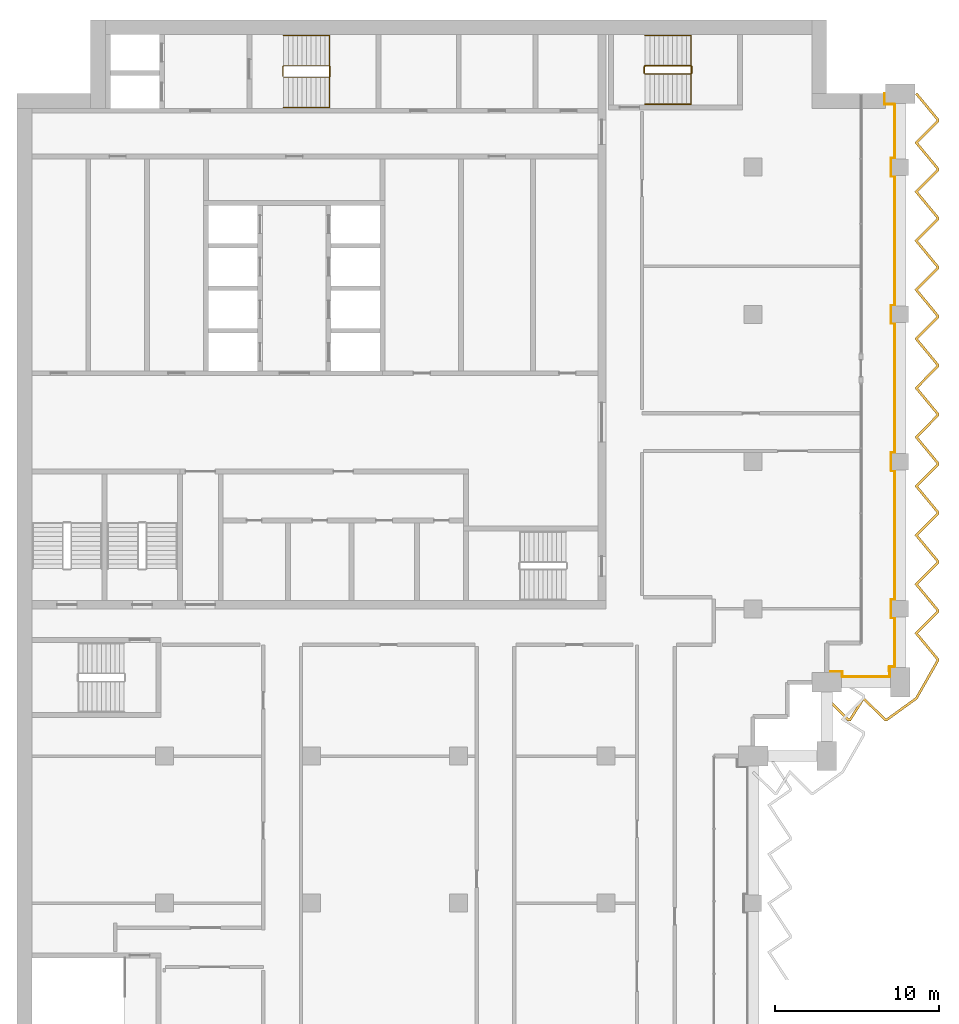
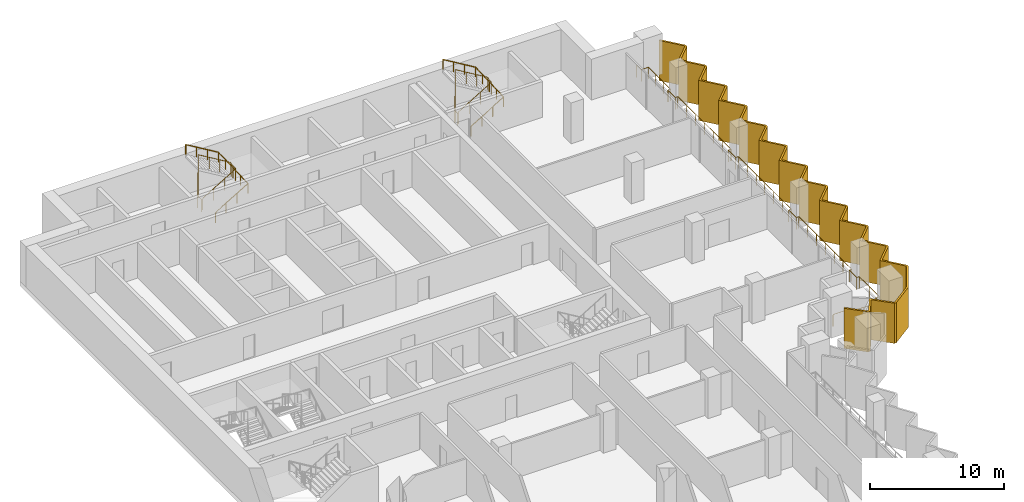
# One storey, part 18 of 18: 5 railings, 1 shading device.
"""IFC4 building model written with IfcOpenShell, lengths in metres."""

import ifcopenshell
import ifcopenshell.guid

model = None  # the IFC model being written
_history = None  # IfcOwnerHistory: only IFC2X3 demands one
_inside = {}  # id of a spatial element -> (the spatial element, [elements in it])
_under = {}  # id of a project, library or spatial element -> (it, [spatial elements below it])
_declared = {}  # id of a project -> (the project, [libraries it declares])
_typed = {}  # id of a type object -> (the type object, [elements of that type])
_made_of = {}  # id of a material, layer set ... -> (it, [elements and type objects made of it])


def new_model(schema):
    """Start an empty IFC model of exactly this schema.

    Asked for "IFC4X3", IfcOpenShell would pick the latest addendum, in which some entities
    have other attributes; the version numbers below select the first issue.
    IFC2X3 requires an IfcOwnerHistory on every rooted entity: one is made here for all.
    """
    global model, _history
    if schema == "IFC4X3":
        model = ifcopenshell.file(schema_version=(4, 3, 0, 0))
    else:
        model = ifcopenshell.file(schema=schema)
    _inside.clear()
    _under.clear()
    _declared.clear()
    _typed.clear()
    _made_of.clear()
    _history = None
    if model.schema == "IFC2X3":
        org = make("IfcOrganization", Name="unknown")
        user = make(
            "IfcPersonAndOrganization",
            ThePerson=make("IfcPerson", FamilyName="unknown"),
            TheOrganization=org,
        )
        app = make(
            "IfcApplication",
            ApplicationDeveloper=org,
            Version="unknown",
            ApplicationFullName="unknown",
            ApplicationIdentifier="unknown",
        )
        _history = make(
            "IfcOwnerHistory",
            OwningUser=user,
            OwningApplication=app,
            ChangeAction="ADDED",
            CreationDate=0,
        )
    return model


def make(cls, **values):
    """One entity of the class cls with the attributes given. An attribute that is None is left unset."""
    return model.create_entity(
        cls, **{name: value for name, value in values.items() if value is not None}
    )


def rooted(cls, **values):
    """An entity with a GlobalId (a new one), such as an element, a storey or a relation."""
    return make(cls, GlobalId=ifcopenshell.guid.new(), OwnerHistory=_history, **values)


def si_unit(unit_type, name, prefix=None):
    """IfcSIUnit, for example si_unit("LENGTHUNIT", "METRE", prefix="MILLI")."""
    return make("IfcSIUnit", UnitType=unit_type, Prefix=prefix, Name=name)


def assignment(units):
    """IfcUnitAssignment: the units of a project."""
    return None if units is None else make("IfcUnitAssignment", Units=units)


def point(xyz):
    """IfcCartesianPoint."""
    return None if xyz is None else make("IfcCartesianPoint", Coordinates=xyz)


def direction(xyz):
    """IfcDirection."""
    return None if xyz is None else make("IfcDirection", DirectionRatios=xyz)


def frame(location, z_axis=None, x_axis=None):
    """IfcAxis2Placement3D, a coordinate frame: its origin and axes. An axis left out is left unset."""
    return make(
        "IfcAxis2Placement3D",
        Location=point(location),
        Axis=direction(z_axis),
        RefDirection=direction(x_axis),
    )


def frame_2d(location, x_axis=None):
    """IfcAxis2Placement2D, a coordinate frame in the plane: its origin and x axis."""
    return make(
        "IfcAxis2Placement2D", Location=point(location), RefDirection=direction(x_axis)
    )


def origin():
    """The frame at (0, 0, 0) with its axes left unset."""
    return frame((0.0, 0.0, 0.0))


def origin_2d():
    """The frame at (0, 0) in the plane with its x axis left unset."""
    return frame_2d((0.0, 0.0))


def place(relative_to, where):
    """IfcLocalPlacement: puts the frame where relative to a parent placement (None: the world)."""
    return make(
        "IfcLocalPlacement", PlacementRelTo=relative_to, RelativePlacement=where
    )


def context(
    kind, dimensions, precision=None, world=None, true_north=None, identifier=None
):
    """IfcGeometricRepresentationContext, for example the 3D "Model" context."""
    return make(
        "IfcGeometricRepresentationContext",
        ContextIdentifier=identifier,
        ContextType=kind,
        CoordinateSpaceDimension=dimensions,
        Precision=precision,
        WorldCoordinateSystem=world,
        TrueNorth=true_north,
    )


def subcontext(parent, identifier, kind, view, scale=None):
    """IfcGeometricRepresentationSubContext, for example "Body" below "Model"."""
    return make(
        "IfcGeometricRepresentationSubContext",
        ContextIdentifier=identifier,
        ContextType=kind,
        ParentContext=parent,
        TargetScale=scale,
        TargetView=view,
    )


def project(units=None, contexts=None):
    """IfcProject with its units and contexts."""
    return rooted(
        "IfcProject",
        Name="project",
        RepresentationContexts=contexts,
        UnitsInContext=assignment(units),
    )


def spatial(cls, under=None, at=None, **own):
    """A site, building, storey or space (cls), placed at a placement, below another one or the project."""
    s = rooted(cls, ObjectPlacement=at, **own)
    if under is not None:
        _under.setdefault(under.id(), (under, []))[1].append(s)
    return s


def polyline(points):
    """IfcPolyline through the points."""
    return make("IfcPolyline", Points=[point(p) for p in points])


def profile(cls, at=None, kind="AREA", **sizes):
    """A parametric profile (cls). Its sizes go by their IFC names, for example OverallWidth=200.0."""
    return make(cls, ProfileType=kind, Position=at, **sizes)


def circle(**sizes):
    """IfcCircleProfileDef."""
    return profile("IfcCircleProfileDef", **sizes)


def outline(outer, holes=None, kind="AREA"):
    """IfcArbitraryClosedProfileDef: a profile drawn as a closed curve; with holes, ...WithVoids."""
    if holes is None:
        return make("IfcArbitraryClosedProfileDef", ProfileType=kind, OuterCurve=outer)
    return make(
        "IfcArbitraryProfileDefWithVoids",
        ProfileType=kind,
        OuterCurve=outer,
        InnerCurves=holes,
    )


def extrude(swept, where, along, depth):
    """IfcExtrudedAreaSolid: the profile swept, set in the frame where, extruded along a direction by depth."""
    return make(
        "IfcExtrudedAreaSolid",
        SweptArea=swept,
        Position=where,
        ExtrudedDirection=direction(along),
        Depth=depth,
    )


def shape(context_of_items, identifier, shape_type, items):
    """IfcShapeRepresentation: the items that make up one representation, for example the "Body"."""
    return make(
        "IfcShapeRepresentation",
        ContextOfItems=context_of_items,
        RepresentationIdentifier=identifier,
        RepresentationType=shape_type,
        Items=items,
    )


def material(Name=None, Category=None):
    """IfcMaterial."""
    return make("IfcMaterial", Name=Name, Category=Category)


def layer(
    of_material, thickness, ventilated=None, Name=None, Category=None, Priority=None
):
    """IfcMaterialLayer: one layer of a wall or slab, of a material (None: an air gap)."""
    return make(
        "IfcMaterialLayer",
        Material=of_material,
        LayerThickness=thickness,
        IsVentilated=ventilated,
        Name=Name,
        Category=Category,
        Priority=Priority,
    )


def layer_set(layers, Name=None):
    """IfcMaterialLayerSet."""
    return make("IfcMaterialLayerSet", MaterialLayers=layers, LayerSetName=Name)


def made_of(thing, what):
    """Note that an element or type object is made of a material, layer set ...; save() writes the relation."""
    if what is not None:
        _made_of.setdefault(what.id(), (what, []))[1].append(thing)
    return thing


def type_object(cls, material=None, **own):
    """A type object (cls), such as IfcWallType, which elements share."""
    return made_of(rooted(cls, **own), material)


def element(
    cls,
    number,
    at=None,
    inside=None,
    cuts=None,
    type_object=None,
    material=None,
    context=None,
    identifier="Body",
    shape_type=None,
    held_by="IfcProductDefinitionShape",
    body=None,
    shapes=None,
    **own,
):
    """One element of the class cls, such as IfcWall. Its Tag is "e" and its number.

    at: its placement. inside: the storey or other place that contains it. cuts: it is an
    opening in that element (IfcRelVoidsElement). A single representation is given by context,
    identifier, shape_type and body (its items); several are given by shapes. held_by: the class
    of the entity that holds the representations. save() writes the other relations.
    """
    e = rooted(cls, Tag="e%d" % number, ObjectPlacement=at, **own)
    if body is not None:
        shapes = [shape(context, identifier, shape_type, body)]
    if shapes is not None:
        e.Representation = make(held_by, Representations=shapes)
    if inside is not None:
        _inside.setdefault(inside.id(), (inside, []))[1].append(e)
    if cuts is not None:
        rooted(
            "IfcRelVoidsElement", RelatingBuildingElement=cuts, RelatedOpeningElement=e
        )
    if type_object is not None:
        _typed.setdefault(type_object.id(), (type_object, []))[1].append(e)
    return made_of(e, material)


def aggregate(whole, parts):
    """IfcRelAggregates: a whole, such as a stair, and the parts it consists of."""
    return rooted("IfcRelAggregates", RelatingObject=whole, RelatedObjects=parts)


def save(model, path):
    """Write the relations noted so far, then the file.

    IfcRelAggregates (storeys below a building ...), IfcRelContainedInSpatialStructure (elements
    in a storey), IfcRelDefinesByType, IfcRelAssociatesMaterial and IfcRelDeclares: one each for
    every whole, place, type object, material and project.
    """
    for whole, parts in _under.values():
        aggregate(whole, parts)
    for where, things in _inside.values():
        rooted(
            "IfcRelContainedInSpatialStructure",
            RelatedElements=things,
            RelatingStructure=where,
        )
    for kind, things in _typed.values():
        rooted("IfcRelDefinesByType", RelatedObjects=things, RelatingType=kind)
    for what, things in _made_of.values():
        rooted("IfcRelAssociatesMaterial", RelatedObjects=things, RelatingMaterial=what)
    for by, libraries in _declared.values():
        rooted("IfcRelDeclares", RelatingContext=by, RelatedDefinitions=libraries)
    model.write(path)


model = new_model("IFC4")

# Units and contexts
model_context = context("Model", 3, precision=1e-05, world=origin(), true_north=direction((0.0, 1.0)))
body_context = subcontext(model_context, "Body", "Model", "MODEL_VIEW")
ifc_project = project(units=[si_unit("LENGTHUNIT", "METRE"), si_unit("AREAUNIT", "SQUARE_METRE"), si_unit("VOLUMEUNIT", "CUBIC_METRE"), si_unit("PLANEANGLEUNIT", "RADIAN"), si_unit("MASSUNIT", "GRAM", prefix="KILO")], contexts=[model_context])

# Site, building, storey
site_placement = place(None, origin())
site = spatial("IfcSite", under=ifc_project, at=site_placement, CompositionType="ELEMENT")
building_placement = place(site_placement, origin())
building = spatial("IfcBuilding", under=site, at=building_placement, Name="Hunhe Ridgeline Campus", CompositionType="ELEMENT")
storey_placement = place(building_placement, frame((0.0, 0.0, 223.5)))
storey = spatial("IfcBuildingStorey", under=building, at=storey_placement, Name="L57", CompositionType="ELEMENT", Elevation=223.5)

# Railing
ifc_material_1 = material(Name="Steel Q355", Category="steel")
railing_type_1 = type_object("IfcRailingType", Name="Loggia guard 1100 Steel Q355", PredefinedType="GUARDRAIL", material=ifc_material_1)
railing_1_placement = place(storey_placement, frame((49.5, 59.169921875, 0.0)))
element("IfcRailing", 1, at=railing_1_placement, inside=storey, type_object=railing_type_1, Name="Loggia guard 2", PredefinedType="GUARDRAIL", context=body_context, shape_type="SweptSolid", body=[
    extrude(circle(Radius=0.02392578125, at=origin_2d()), frame((0.0, 0.0, 1.076171875), z_axis=(1.0, 0.0, 0.0), x_axis=(0.0, 1.0, 0.0)), (0.0, 0.0, 1.0), 0.949951171875),
    extrude(circle(Radius=0.02392578125, at=origin_2d()), frame((0.949951171875, 0.0, 1.076171875), z_axis=(0.0, -1.0, 0.0), x_axis=(1.0, 0.0, 0.0)), (0.0, 0.0, 1.0), 0.31982421875),
    extrude(circle(Radius=0.02392578125, at=origin_2d()), frame((0.949951171875, -0.31982421875, 1.076171875), z_axis=(1.0, 0.0, 0.0), x_axis=(0.0, 1.0, 0.0)), (0.0, 0.0, 1.0), 2.900146484375),
    extrude(circle(Radius=0.02392578125, at=origin_2d()), frame((3.85009765625, -0.31982421875, 1.076171875), z_axis=(0.0, 1.0, 0.0), x_axis=(-1.0, 0.0, 0.0)), (0.0, 0.0, 1.0), 0.619873046875),
    extrude(circle(Radius=0.02392578125, at=origin_2d()), frame((3.85009765625, 0.300048828125, 1.076171875), z_axis=(-0.066572895244, -0.99778156408, 0.0), x_axis=(0.99778156408, -0.066572895244, 0.0)), (0.0, 0.0, 1.0), 0.30078125),
    extrude(circle(Radius=0.02392578125, at=origin_2d()), frame((3.830078125, 0.0, 1.076171875), z_axis=(0.0, 1.0, 0.0), x_axis=(-1.0, 0.0, 0.0)), (0.0, 0.0, 1.0), 0.280029296875),
    extrude(circle(Radius=0.02392578125, at=origin_2d()), frame((3.830078125, 0.280029296875, 1.076171875), z_axis=(1.0, 0.0, 0.0), x_axis=(0.0, 1.0, 0.0)), (0.0, 0.0, 1.0), 0.31982421875),
    extrude(circle(Radius=0.02392578125, at=origin_2d()), frame((4.14990234375, 0.280029296875, 1.076171875), z_axis=(0.0, 1.0, 0.0), x_axis=(-1.0, 0.0, 0.0)), (0.0, 0.0, 1.0), 3.0),
    extrude(circle(Radius=0.02392578125, at=origin_2d()), frame((4.14990234375, 3.280029296875, 1.076171875), z_axis=(-1.0, 0.0, 0.0), x_axis=(0.0, -1.0, 0.0)), (0.0, 0.0, 1.0), 0.219970703125),
    extrude(circle(Radius=0.02392578125, at=origin_2d()), frame((3.929931640625, 3.280029296875, 1.076171875), z_axis=(0.0, 1.0, 0.0), x_axis=(-1.0, 0.0, 0.0)), (0.0, 0.0, 1.0), 1.10009765625),
    extrude(circle(Radius=0.02392578125, at=origin_2d()), frame((3.929931640625, 4.380126953125, 1.076171875), z_axis=(1.0, 0.0, 0.0), x_axis=(0.0, 1.0, 0.0)), (0.0, 0.0, 1.0), 0.219970703125),
    extrude(circle(Radius=0.02392578125, at=origin_2d()), frame((4.14990234375, 4.380126953125, 1.076171875), z_axis=(0.0, 1.0, 0.0), x_axis=(-1.0, 0.0, 0.0)), (0.0, 0.0, 1.0), 7.89990234375),
    extrude(circle(Radius=0.02392578125, at=origin_2d()), frame((4.14990234375, 12.280029296875, 1.076171875), z_axis=(-1.0, 0.0, 0.0), x_axis=(0.0, -1.0, 0.0)), (0.0, 0.0, 1.0), 0.219970703125),
    extrude(circle(Radius=0.02392578125, at=origin_2d()), frame((3.929931640625, 12.280029296875, 1.076171875), z_axis=(0.0, 1.0, 0.0), x_axis=(-1.0, 0.0, 0.0)), (0.0, 0.0, 1.0), 1.10009765625),
    extrude(circle(Radius=0.02392578125, at=origin_2d()), frame((3.929931640625, 13.380126953125, 1.076171875), z_axis=(1.0, 0.0, 0.0), x_axis=(0.0, 1.0, 0.0)), (0.0, 0.0, 1.0), 0.219970703125),
    extrude(circle(Radius=0.02392578125, at=origin_2d()), frame((4.14990234375, 13.380126953125, 1.076171875), z_axis=(0.0, 1.0, 0.0), x_axis=(-1.0, 0.0, 0.0)), (0.0, 0.0, 1.0), 7.89990234375),
    extrude(circle(Radius=0.02392578125, at=origin_2d()), frame((4.14990234375, 21.280029296875, 1.076171875), z_axis=(-1.0, 0.0, 0.0), x_axis=(0.0, -1.0, 0.0)), (0.0, 0.0, 1.0), 0.219970703125),
    extrude(circle(Radius=0.02392578125, at=origin_2d()), frame((3.929931640625, 21.280029296875, 1.076171875), z_axis=(0.0, 1.0, 0.0), x_axis=(-1.0, 0.0, 0.0)), (0.0, 0.0, 1.0), 1.10009765625),
    extrude(circle(Radius=0.02392578125, at=origin_2d()), frame((3.929931640625, 22.380126953125, 1.076171875), z_axis=(1.0, 0.0, 0.0), x_axis=(0.0, 1.0, 0.0)), (0.0, 0.0, 1.0), 0.219970703125),
    extrude(circle(Radius=0.02392578125, at=origin_2d()), frame((4.14990234375, 22.380126953125, 1.076171875), z_axis=(0.0, 1.0, 0.0), x_axis=(-1.0, 0.0, 0.0)), (0.0, 0.0, 1.0), 7.89990234375),
    extrude(circle(Radius=0.02392578125, at=origin_2d()), frame((4.14990234375, 30.280029296875, 1.076171875), z_axis=(-1.0, 0.0, 0.0), x_axis=(0.0, -1.0, 0.0)), (0.0, 0.0, 1.0), 0.219970703125),
    extrude(circle(Radius=0.02392578125, at=origin_2d()), frame((3.929931640625, 30.280029296875, 1.076171875), z_axis=(0.0, 1.0, 0.0), x_axis=(-1.0, 0.0, 0.0)), (0.0, 0.0, 1.0), 1.10009765625),
    extrude(circle(Radius=0.02392578125, at=origin_2d()), frame((3.929931640625, 31.380126953125, 1.076171875), z_axis=(1.0, 0.0, 0.0), x_axis=(0.0, 1.0, 0.0)), (0.0, 0.0, 1.0), 0.219970703125),
    extrude(circle(Radius=0.02392578125, at=origin_2d()), frame((4.14990234375, 31.380126953125, 1.076171875), z_axis=(0.0, 1.0, 0.0), x_axis=(-1.0, 0.0, 0.0)), (0.0, 0.0, 1.0), 3.300048828125),
    extrude(circle(Radius=0.02392578125, at=origin_2d()), frame((4.14990234375, 34.68017578125, 1.076171875), z_axis=(-1.0, 0.0, 0.0), x_axis=(0.0, -1.0, 0.0)), (0.0, 0.0, 1.0), 0.619873046875),
    extrude(circle(Radius=0.02392578125, at=origin_2d()), frame((3.530029296875, 34.68017578125, 1.076171875), z_axis=(0.0, 1.0, 0.0), x_axis=(-1.0, 0.0, 0.0)), (0.0, 0.0, 1.0), 0.64990234375),
    extrude(circle(Radius=0.02099609375, at=origin_2d()), origin(), (0.0, 0.0, 1.0), 1.052001953125),
    extrude(circle(Radius=0.02099609375, at=origin_2d()), frame((0.949951171875, 0.0, 0.0)), (0.0, 0.0, 1.0), 1.052001953125),
    extrude(circle(Radius=0.02099609375, at=origin_2d()), frame((0.949951171875, -0.31982421875, 0.0)), (0.0, 0.0, 1.0), 1.052001953125),
    extrude(circle(Radius=0.02099609375, at=origin_2d()), frame((2.39990234375, -0.31982421875, 0.0)), (0.0, 0.0, 1.0), 1.052001953125),
    extrude(circle(Radius=0.02099609375, at=origin_2d()), frame((3.85009765625, -0.31982421875, 0.0)), (0.0, 0.0, 1.0), 1.052001953125),
    extrude(circle(Radius=0.02099609375, at=origin_2d()), frame((3.85009765625, 0.300048828125, 0.0)), (0.0, 0.0, 1.0), 1.052001953125),
    extrude(circle(Radius=0.02099609375, at=origin_2d()), frame((3.830078125, 0.0, 0.0)), (0.0, 0.0, 1.0), 1.052001953125),
    extrude(circle(Radius=0.02099609375, at=origin_2d()), frame((3.830078125, 0.280029296875, 0.0)), (0.0, 0.0, 1.0), 1.052001953125),
    extrude(circle(Radius=0.02099609375, at=origin_2d()), frame((4.14990234375, 0.280029296875, 0.0)), (0.0, 0.0, 1.0), 1.052001953125),
    extrude(circle(Radius=0.02099609375, at=origin_2d()), frame((4.14990234375, 1.780029296875, 0.0)), (0.0, 0.0, 1.0), 1.052001953125),
    extrude(circle(Radius=0.02099609375, at=origin_2d()), frame((4.14990234375, 3.280029296875, 0.0)), (0.0, 0.0, 1.0), 1.052001953125),
    extrude(circle(Radius=0.02099609375, at=origin_2d()), frame((3.929931640625, 3.280029296875, 0.0)), (0.0, 0.0, 1.0), 1.052001953125),
    extrude(circle(Radius=0.02099609375, at=origin_2d()), frame((3.929931640625, 4.380126953125, 0.0)), (0.0, 0.0, 1.0), 1.052001953125),
    extrude(circle(Radius=0.02099609375, at=origin_2d()), frame((4.14990234375, 4.380126953125, 0.0)), (0.0, 0.0, 1.0), 1.052001953125),
    extrude(circle(Radius=0.02099609375, at=origin_2d()), frame((4.14990234375, 5.69677734375, 0.0)), (0.0, 0.0, 1.0), 1.052001953125),
    extrude(circle(Radius=0.02099609375, at=origin_2d()), frame((4.14990234375, 7.013427734375, 0.0)), (0.0, 0.0, 1.0), 1.052001953125),
    extrude(circle(Radius=0.02099609375, at=origin_2d()), frame((4.14990234375, 8.330078125, 0.0)), (0.0, 0.0, 1.0), 1.052001953125),
    extrude(circle(Radius=0.02099609375, at=origin_2d()), frame((4.14990234375, 9.646728515625, 0.0)), (0.0, 0.0, 1.0), 1.052001953125),
    extrude(circle(Radius=0.02099609375, at=origin_2d()), frame((4.14990234375, 10.96337890625, 0.0)), (0.0, 0.0, 1.0), 1.052001953125),
    extrude(circle(Radius=0.02099609375, at=origin_2d()), frame((4.14990234375, 12.280029296875, 0.0)), (0.0, 0.0, 1.0), 1.052001953125),
    extrude(circle(Radius=0.02099609375, at=origin_2d()), frame((3.929931640625, 12.280029296875, 0.0)), (0.0, 0.0, 1.0), 1.052001953125),
    extrude(circle(Radius=0.02099609375, at=origin_2d()), frame((3.929931640625, 13.380126953125, 0.0)), (0.0, 0.0, 1.0), 1.052001953125),
    extrude(circle(Radius=0.02099609375, at=origin_2d()), frame((4.14990234375, 13.380126953125, 0.0)), (0.0, 0.0, 1.0), 1.052001953125),
    extrude(circle(Radius=0.02099609375, at=origin_2d()), frame((4.14990234375, 14.69677734375, 0.0)), (0.0, 0.0, 1.0), 1.052001953125),
    extrude(circle(Radius=0.02099609375, at=origin_2d()), frame((4.14990234375, 16.013427734375, 0.0)), (0.0, 0.0, 1.0), 1.052001953125),
    extrude(circle(Radius=0.02099609375, at=origin_2d()), frame((4.14990234375, 17.330078125, 0.0)), (0.0, 0.0, 1.0), 1.052001953125),
    extrude(circle(Radius=0.02099609375, at=origin_2d()), frame((4.14990234375, 18.646728515625, 0.0)), (0.0, 0.0, 1.0), 1.052001953125),
    extrude(circle(Radius=0.02099609375, at=origin_2d()), frame((4.14990234375, 19.96337890625, 0.0)), (0.0, 0.0, 1.0), 1.052001953125),
    extrude(circle(Radius=0.02099609375, at=origin_2d()), frame((4.14990234375, 21.280029296875, 0.0)), (0.0, 0.0, 1.0), 1.052001953125),
    extrude(circle(Radius=0.02099609375, at=origin_2d()), frame((3.929931640625, 21.280029296875, 0.0)), (0.0, 0.0, 1.0), 1.052001953125),
    extrude(circle(Radius=0.02099609375, at=origin_2d()), frame((3.929931640625, 22.380126953125, 0.0)), (0.0, 0.0, 1.0), 1.052001953125),
    extrude(circle(Radius=0.02099609375, at=origin_2d()), frame((4.14990234375, 22.380126953125, 0.0)), (0.0, 0.0, 1.0), 1.052001953125),
    extrude(circle(Radius=0.02099609375, at=origin_2d()), frame((4.14990234375, 23.69677734375, 0.0)), (0.0, 0.0, 1.0), 1.052001953125),
    extrude(circle(Radius=0.02099609375, at=origin_2d()), frame((4.14990234375, 25.013427734375, 0.0)), (0.0, 0.0, 1.0), 1.052001953125),
    extrude(circle(Radius=0.02099609375, at=origin_2d()), frame((4.14990234375, 26.330078125, 0.0)), (0.0, 0.0, 1.0), 1.052001953125),
    extrude(circle(Radius=0.02099609375, at=origin_2d()), frame((4.14990234375, 27.646728515625, 0.0)), (0.0, 0.0, 1.0), 1.052001953125),
    extrude(circle(Radius=0.02099609375, at=origin_2d()), frame((4.14990234375, 28.96337890625, 0.0)), (0.0, 0.0, 1.0), 1.052001953125),
    extrude(circle(Radius=0.02099609375, at=origin_2d()), frame((4.14990234375, 30.280029296875, 0.0)), (0.0, 0.0, 1.0), 1.052001953125),
    extrude(circle(Radius=0.02099609375, at=origin_2d()), frame((3.929931640625, 30.280029296875, 0.0)), (0.0, 0.0, 1.0), 1.052001953125),
    extrude(circle(Radius=0.02099609375, at=origin_2d()), frame((3.929931640625, 31.380126953125, 0.0)), (0.0, 0.0, 1.0), 1.052001953125),
    extrude(circle(Radius=0.02099609375, at=origin_2d()), frame((4.14990234375, 31.380126953125, 0.0)), (0.0, 0.0, 1.0), 1.052001953125),
    extrude(circle(Radius=0.02099609375, at=origin_2d()), frame((4.14990234375, 32.480224609375, 0.0)), (0.0, 0.0, 1.0), 1.052001953125),
    extrude(circle(Radius=0.02099609375, at=origin_2d()), frame((4.14990234375, 33.580078125, 0.0)), (0.0, 0.0, 1.0), 1.052001953125),
    extrude(circle(Radius=0.02099609375, at=origin_2d()), frame((4.14990234375, 34.68017578125, 0.0)), (0.0, 0.0, 1.0), 1.052001953125),
    extrude(circle(Radius=0.02099609375, at=origin_2d()), frame((3.530029296875, 34.68017578125, 0.0)), (0.0, 0.0, 1.0), 1.052001953125),
    extrude(circle(Radius=0.02099609375, at=origin_2d()), frame((3.530029296875, 35.330078125, 0.0)), (0.0, 0.0, 1.0), 1.052001953125),
])

# Shading device
ifc_material_2 = material(Name="Concrete C50", Category="concrete")
ifc_layer = layer(ifc_material_2, 0.14990234375)
ifc_layer_set = layer_set([ifc_layer], Name="Sawtooth concrete fin 150 Concrete C50")
shading_device_type = type_object("IfcShadingDeviceType", Name="Sawtooth concrete fin 150 Concrete C50", PredefinedType="USERDEFINED", material=ifc_layer_set)
shading_device_placement = place(storey_placement, frame((0.0, 0.0, -0.949951171875)))
element("IfcShadingDevice", 2, at=shading_device_placement, inside=storey, type_object=shading_device_type, Name="Concrete fin screen 3", ObjectType="FIN", PredefinedType="USERDEFINED", context=body_context, shape_type="SweptSolid", body=[
    extrude(outline(polyline([(49.552734375, 57.578125), (49.447265625, 57.4716796875), (50.779296875, 56.14990234375), (50.9716796875, 56.14990234375), (51.763671875, 57.406005859375), (53.029296875, 56.14990234375), (53.20458984375, 56.14990234375), (55.0322265625, 57.473876953125), (56.35009765625, 59.79052734375), (56.35009765625, 59.957275390625), (55.076171875, 61.495361328125), (56.35009765625, 62.779296875), (56.35009765625, 62.957275390625), (55.076171875, 64.495361328125), (56.35009765625, 65.779296875), (56.35009765625, 65.957275390625), (55.076171875, 67.495361328125), (56.35009765625, 68.779296875), (56.35009765625, 68.957275390625), (55.076171875, 70.495361328125), (56.35009765625, 71.779296875), (56.35009765625, 71.957275390625), (55.076171875, 73.495361328125), (56.35009765625, 74.779296875), (56.35009765625, 74.957275390625), (55.076171875, 76.495361328125), (56.35009765625, 77.779296875), (56.35009765625, 77.957275390625), (55.076171875, 79.495361328125), (56.35009765625, 80.779296875), (56.35009765625, 80.957275390625), (55.076171875, 82.495361328125), (56.35009765625, 83.779296875), (56.35009765625, 83.957275390625), (55.076171875, 85.495361328125), (56.35009765625, 86.779296875), (56.35009765625, 86.957275390625), (55.076171875, 88.495361328125), (56.35009765625, 89.779296875), (56.35009765625, 89.957275390625), (55.076171875, 91.495361328125), (56.35009765625, 92.779296875), (56.35009765625, 92.957275390625), (55.03271484375, 94.5478515625), (54.917236328125, 94.4521484375), (56.199951171875, 92.9033203125), (56.199951171875, 92.841064453125), (54.873779296875, 91.504638671875), (56.199951171875, 89.9033203125), (56.199951171875, 89.841064453125), (54.873779296875, 88.504638671875), (56.199951171875, 86.9033203125), (56.199951171875, 86.841064453125), (54.873779296875, 85.504638671875), (56.199951171875, 83.9033203125), (56.199951171875, 83.841064453125), (54.873779296875, 82.504638671875), (56.199951171875, 80.9033203125), (56.199951171875, 80.841064453125), (54.873779296875, 79.504638671875), (56.199951171875, 77.9033203125), (56.199951171875, 77.841064453125), (54.873779296875, 76.504638671875), (56.199951171875, 74.9033203125), (56.199951171875, 74.841064453125), (54.873779296875, 73.504638671875), (56.199951171875, 71.9033203125), (56.199951171875, 71.841064453125), (54.873779296875, 70.504638671875), (56.199951171875, 68.9033203125), (56.199951171875, 68.841064453125), (54.873779296875, 67.504638671875), (56.199951171875, 65.9033203125), (56.199951171875, 65.841064453125), (54.873779296875, 64.504638671875), (56.199951171875, 62.9033203125), (56.199951171875, 62.841064453125), (54.873779296875, 61.504638671875), (56.199951171875, 59.9033203125), (56.199951171875, 59.830078125), (54.917724609375, 57.576171875), (53.156005859375, 56.300048828125), (53.091064453125, 56.300048828125), (51.736328125, 57.64404296875), (50.888916015625, 56.300048828125), (50.841064453125, 56.300048828125), (49.552734375, 57.578125)])), origin(), (0.0, 0.0, 1.0), 3.64990234375),
])

# Railings
ifc_material_3 = material(Name="Stainless steel balustrade", Category="steel")
railing_type_2 = type_object("IfcRailingType", Name="Stair guard 1100 stainless", PredefinedType="GUARDRAIL", material=ifc_material_3)
railing_2_placement = place(storey_placement, frame((16.300048828125, 95.5, 0.168212890625)))
element("IfcRailing", 3, at=railing_2_placement, inside=storey, type_object=railing_type_2, Name="L57 stair S1 guard", PredefinedType="GUARDRAIL", context=body_context, shape_type="SweptSolid", body=[
    extrude(circle(Radius=0.02392578125, at=origin_2d()), frame((0.0, 0.0, 1.076171875), z_axis=(0.857242210791, 0.0, 0.514913383045), x_axis=(0.0, 1.0, 0.0)), (0.0, 0.0, 1.0), 3.266357421875),
    extrude(circle(Radius=0.02392578125, at=origin_2d()), frame((2.800048828125, 0.0, 2.7578125), z_axis=(0.705375805398, 0.708833529934, 0.0), x_axis=(-0.708833529934, 0.705375805398, 0.0)), (0.0, 0.0, 1.0), 0.070556640625),
    extrude(circle(Radius=0.02392578125, at=origin_2d()), frame((2.849853515625, 0.050048828125, 2.7578125), z_axis=(0.0, 1.0, 0.0), x_axis=(-1.0, 0.0, 0.0)), (0.0, 0.0, 1.0), 0.599853515625),
    extrude(circle(Radius=0.02392578125, at=origin_2d()), frame((2.849853515625, 0.64990234375, 2.7578125), z_axis=(-0.273343290215, 0.274683208305, 0.921863645432), x_axis=(-0.708833529934, -0.705375805398, 0.0)), (0.0, 0.0, 1.0), 0.18212890625),
    extrude(circle(Radius=0.02392578125, at=origin_2d()), frame((2.800048828125, 0.699951171875, 2.92578125), z_axis=(-0.857242210791, 0.0, 0.514913383045), x_axis=(0.0, -1.0, 0.0)), (0.0, 0.0, 1.0), 3.266357421875),
    extrude(circle(Radius=0.02392578125, at=origin_2d()), frame((0.0, 0.699951171875, 4.60791015625), z_axis=(-0.013524414389, -0.013524414389, -0.999817073484), x_axis=(0.707106781187, -0.707106781187, 0.0)), (0.0, 0.0, 1.0), 3.70068359375),
    extrude(circle(Radius=0.02392578125, at=origin_2d()), frame((-0.050048828125, 0.64990234375, 0.90771484375), z_axis=(0.0, -1.0, 0.0), x_axis=(1.0, 0.0, 0.0)), (0.0, 0.0, 1.0), 0.599853515625),
    extrude(circle(Radius=0.02099609375, at=origin_2d()), origin(), (0.0, 0.0, 1.0), 1.052001953125),
    extrude(circle(Radius=0.02099609375, at=origin_2d()), frame((0.933349609375, 0.0, 0.560546875)), (0.0, 0.0, 1.0), 1.052001953125),
    extrude(circle(Radius=0.02099609375, at=origin_2d()), frame((1.86669921875, 0.0, 1.121337890625)), (0.0, 0.0, 1.0), 1.052001953125),
    extrude(circle(Radius=0.02099609375, at=origin_2d()), frame((2.800048828125, 0.0, 1.681884765625)), (0.0, 0.0, 1.0), 1.052001953125),
    extrude(circle(Radius=0.02099609375, at=origin_2d()), frame((2.849853515625, 0.050048828125, 1.681884765625)), (0.0, 0.0, 1.0), 1.052001953125),
    extrude(circle(Radius=0.02099609375, at=origin_2d()), frame((2.849853515625, 0.64990234375, 1.681884765625)), (0.0, 0.0, 1.0), 1.052001953125),
    extrude(circle(Radius=0.02099609375, at=origin_2d()), frame((2.800048828125, 0.699951171875, 1.849853515625)), (0.0, 0.0, 1.0), 1.052001953125),
    extrude(circle(Radius=0.02099609375, at=origin_2d()), frame((1.86669921875, 0.699951171875, 2.410400390625)), (0.0, 0.0, 1.0), 1.052001953125),
    extrude(circle(Radius=0.02099609375, at=origin_2d()), frame((0.933349609375, 0.699951171875, 2.97119140625)), (0.0, 0.0, 1.0), 1.052001953125),
    extrude(circle(Radius=0.02099609375, at=origin_2d()), frame((0.0, 0.699951171875, 3.53173828125)), (0.0, 0.0, 1.0), 1.052001953125),
    extrude(circle(Radius=0.02099609375, at=origin_2d()), frame((-0.012451171875, 0.6875, 2.606689453125)), (0.0, 0.0, 1.0), 1.052001953125),
    extrude(circle(Radius=0.02099609375, at=origin_2d()), frame((-0.02490234375, 0.6748046875, 1.681640625)), (0.0, 0.0, 1.0), 1.052001953125),
    extrude(circle(Radius=0.02099609375, at=origin_2d()), frame((-0.03759765625, 0.662353515625, 0.7568359375)), (0.0, 0.0, 1.0), 1.052001953125),
    extrude(circle(Radius=0.02099609375, at=origin_2d()), frame((-0.050048828125, 0.64990234375, -0.168212890625)), (0.0, 0.0, 1.0), 1.052001953125),
    extrude(circle(Radius=0.02099609375, at=origin_2d()), frame((-0.050048828125, 0.050048828125, -0.168212890625)), (0.0, 0.0, 1.0), 1.052001953125),
])
railing_3_placement = place(storey_placement, frame((38.39990234375, 95.699951171875, 0.168212890625)))
element("IfcRailing", 4, at=railing_3_placement, inside=storey, type_object=railing_type_2, Name="L57 stair E1 guard", PredefinedType="GUARDRAIL", context=body_context, shape_type="SweptSolid", body=[
    extrude(circle(Radius=0.02392578125, at=origin_2d()), frame((0.0, 0.0, 1.076171875), z_axis=(0.857242210791, 0.0, 0.514913383045), x_axis=(0.0, 1.0, 0.0)), (0.0, 0.0, 1.0), 3.266357421875),
    extrude(circle(Radius=0.02392578125, at=origin_2d()), frame((2.800048828125, 0.0, 2.7578125), z_axis=(0.707106781187, 0.707106781187, 0.0), x_axis=(-0.707106781187, 0.707106781187, 0.0)), (0.0, 0.0, 1.0), 0.07080078125),
    extrude(circle(Radius=0.02392578125, at=origin_2d()), frame((2.85009765625, 0.050048828125, 2.7578125), z_axis=(0.0, 1.0, 0.0), x_axis=(-1.0, 0.0, 0.0)), (0.0, 0.0, 1.0), 0.39990234375),
    extrude(circle(Radius=0.02392578125, at=origin_2d()), frame((2.85009765625, 0.449951171875, 2.7578125), z_axis=(-0.274582412415, 0.274582412415, 0.921525364591), x_axis=(-0.707106781187, -0.707106781187, 0.0)), (0.0, 0.0, 1.0), 0.182373046875),
    extrude(circle(Radius=0.02392578125, at=origin_2d()), frame((2.800048828125, 0.5, 2.92578125), z_axis=(-0.857242210791, 0.0, 0.514913383045), x_axis=(0.0, -1.0, 0.0)), (0.0, 0.0, 1.0), 3.266357421875),
    extrude(circle(Radius=0.02392578125, at=origin_2d()), frame((0.0, 0.5, 4.60791015625), z_axis=(-0.013458453615, -0.013524426427, -0.999817963389), x_axis=(0.708833529934, -0.705375805398, 0.0)), (0.0, 0.0, 1.0), 3.70068359375),
    extrude(circle(Radius=0.02392578125, at=origin_2d()), frame((-0.0498046875, 0.449951171875, 0.90771484375), z_axis=(0.0, -1.0, 0.0), x_axis=(1.0, 0.0, 0.0)), (0.0, 0.0, 1.0), 0.39990234375),
    extrude(circle(Radius=0.02099609375, at=origin_2d()), origin(), (0.0, 0.0, 1.0), 1.052001953125),
    extrude(circle(Radius=0.02099609375, at=origin_2d()), frame((0.933349609375, 0.0, 0.560546875)), (0.0, 0.0, 1.0), 1.052001953125),
    extrude(circle(Radius=0.02099609375, at=origin_2d()), frame((1.86669921875, 0.0, 1.121337890625)), (0.0, 0.0, 1.0), 1.052001953125),
    extrude(circle(Radius=0.02099609375, at=origin_2d()), frame((2.800048828125, 0.0, 1.681884765625)), (0.0, 0.0, 1.0), 1.052001953125),
    extrude(circle(Radius=0.02099609375, at=origin_2d()), frame((2.85009765625, 0.050048828125, 1.681884765625)), (0.0, 0.0, 1.0), 1.052001953125),
    extrude(circle(Radius=0.02099609375, at=origin_2d()), frame((2.85009765625, 0.449951171875, 1.681884765625)), (0.0, 0.0, 1.0), 1.052001953125),
    extrude(circle(Radius=0.02099609375, at=origin_2d()), frame((2.800048828125, 0.5, 1.849853515625)), (0.0, 0.0, 1.0), 1.052001953125),
    extrude(circle(Radius=0.02099609375, at=origin_2d()), frame((1.86669921875, 0.5, 2.410400390625)), (0.0, 0.0, 1.0), 1.052001953125),
    extrude(circle(Radius=0.02099609375, at=origin_2d()), frame((0.933349609375, 0.5, 2.97119140625)), (0.0, 0.0, 1.0), 1.052001953125),
    extrude(circle(Radius=0.02099609375, at=origin_2d()), frame((0.0, 0.5, 3.53173828125)), (0.0, 0.0, 1.0), 1.052001953125),
    extrude(circle(Radius=0.02099609375, at=origin_2d()), frame((-0.012451171875, 0.487548828125, 2.606689453125)), (0.0, 0.0, 1.0), 1.052001953125),
    extrude(circle(Radius=0.02099609375, at=origin_2d()), frame((-0.02490234375, 0.47509765625, 1.681640625)), (0.0, 0.0, 1.0), 1.052001953125),
    extrude(circle(Radius=0.02099609375, at=origin_2d()), frame((-0.037353515625, 0.46240234375, 0.7568359375)), (0.0, 0.0, 1.0), 1.052001953125),
    extrude(circle(Radius=0.02099609375, at=origin_2d()), frame((-0.0498046875, 0.449951171875, -0.168212890625)), (0.0, 0.0, 1.0), 1.052001953125),
    extrude(circle(Radius=0.02099609375, at=origin_2d()), frame((-0.0498046875, 0.050048828125, -0.168212890625)), (0.0, 0.0, 1.0), 1.052001953125),
])
ifc_material_4 = material(Name="Stainless steel handrail", Category="steel")
railing_type_3 = type_object("IfcRailingType", Name="Stair handrail 900 stainless", PredefinedType="HANDRAIL", material=ifc_material_4)
railing_4_placement = place(storey_placement, frame((16.300048828125, 93.64990234375, 0.168212890625)))
element("IfcRailing", 5, at=railing_4_placement, inside=storey, type_object=railing_type_3, Name="L57 stair S1 handrail", PredefinedType="HANDRAIL", context=body_context, shape_type="SweptSolid", body=[
    extrude(circle(Radius=0.02392578125, at=origin_2d()), frame((0.0, 0.0, 0.8759765625), z_axis=(0.857242210791, 0.0, 0.514913383045), x_axis=(0.0, 1.0, 0.0)), (0.0, 0.0, 1.0), 3.266357421875),
    extrude(circle(Radius=0.02392578125, at=origin_2d()), frame((2.800048828125, 0.0, 2.5576171875), z_axis=(0.0, 0.999272189381, 0.038145662004), x_axis=(-1.0, 0.0, 0.0)), (0.0, 0.0, 1.0), 4.4033203125),
    extrude(circle(Radius=0.02392578125, at=origin_2d()), frame((2.800048828125, 4.400146484375, 2.7255859375), z_axis=(-0.857242210791, 0.0, 0.514913383045), x_axis=(0.0, -1.0, 0.0)), (0.0, 0.0, 1.0), 3.266357421875),
    extrude(circle(Radius=0.02099609375, at=origin_2d()), origin(), (0.0, 0.0, 1.0), 0.851806640625),
    extrude(circle(Radius=0.02099609375, at=origin_2d()), frame((0.933349609375, 0.0, 0.560546875)), (0.0, 0.0, 1.0), 0.851806640625),
    extrude(circle(Radius=0.02099609375, at=origin_2d()), frame((1.86669921875, 0.0, 1.121337890625)), (0.0, 0.0, 1.0), 0.851806640625),
    extrude(circle(Radius=0.02099609375, at=origin_2d()), frame((2.800048828125, 0.0, 1.681884765625)), (0.0, 0.0, 1.0), 0.851806640625),
    extrude(circle(Radius=0.02099609375, at=origin_2d()), frame((2.800048828125, 1.10009765625, 1.723876953125)), (0.0, 0.0, 1.0), 0.851806640625),
    extrude(circle(Radius=0.02099609375, at=origin_2d()), frame((2.800048828125, 2.2001953125, 1.765869140625)), (0.0, 0.0, 1.0), 0.851806640625),
    extrude(circle(Radius=0.02099609375, at=origin_2d()), frame((2.800048828125, 3.300048828125, 1.807861328125)), (0.0, 0.0, 1.0), 0.851806640625),
    extrude(circle(Radius=0.02099609375, at=origin_2d()), frame((2.800048828125, 4.400146484375, 1.849853515625)), (0.0, 0.0, 1.0), 0.851806640625),
    extrude(circle(Radius=0.02099609375, at=origin_2d()), frame((1.86669921875, 4.400146484375, 2.410400390625)), (0.0, 0.0, 1.0), 0.851806640625),
    extrude(circle(Radius=0.02099609375, at=origin_2d()), frame((0.933349609375, 4.400146484375, 2.97119140625)), (0.0, 0.0, 1.0), 0.851806640625),
    extrude(circle(Radius=0.02099609375, at=origin_2d()), frame((0.0, 4.400146484375, 3.53173828125)), (0.0, 0.0, 1.0), 0.851806640625),
])
railing_5_placement = place(storey_placement, frame((38.39990234375, 93.85009765625, 0.168212890625)))
element("IfcRailing", 6, at=railing_5_placement, inside=storey, type_object=railing_type_3, Name="L57 stair E1 handrail", PredefinedType="HANDRAIL", context=body_context, shape_type="SweptSolid", body=[
    extrude(circle(Radius=0.02392578125, at=origin_2d()), frame((0.0, 0.0, 0.8759765625), z_axis=(0.857242210791, 0.0, 0.514913383045), x_axis=(0.0, 1.0, 0.0)), (0.0, 0.0, 1.0), 3.266357421875),
    extrude(circle(Radius=0.02392578125, at=origin_2d()), frame((2.800048828125, 0.0, 2.5576171875), z_axis=(0.0, 0.99920123705, 0.039961079526), x_axis=(-1.0, 0.0, 0.0)), (0.0, 0.0, 1.0), 4.203369140625),
    extrude(circle(Radius=0.02392578125, at=origin_2d()), frame((2.800048828125, 4.199951171875, 2.7255859375), z_axis=(-0.857242210791, 0.0, 0.514913383045), x_axis=(0.0, -1.0, 0.0)), (0.0, 0.0, 1.0), 3.266357421875),
    extrude(circle(Radius=0.02099609375, at=origin_2d()), origin(), (0.0, 0.0, 1.0), 0.851806640625),
    extrude(circle(Radius=0.02099609375, at=origin_2d()), frame((0.933349609375, 0.0, 0.560546875)), (0.0, 0.0, 1.0), 0.851806640625),
    extrude(circle(Radius=0.02099609375, at=origin_2d()), frame((1.86669921875, 0.0, 1.121337890625)), (0.0, 0.0, 1.0), 0.851806640625),
    extrude(circle(Radius=0.02099609375, at=origin_2d()), frame((2.800048828125, 0.0, 1.681884765625)), (0.0, 0.0, 1.0), 0.851806640625),
    extrude(circle(Radius=0.02099609375, at=origin_2d()), frame((2.800048828125, 1.050048828125, 1.723876953125)), (0.0, 0.0, 1.0), 0.851806640625),
    extrude(circle(Radius=0.02099609375, at=origin_2d()), frame((2.800048828125, 2.10009765625, 1.765869140625)), (0.0, 0.0, 1.0), 0.851806640625),
    extrude(circle(Radius=0.02099609375, at=origin_2d()), frame((2.800048828125, 3.14990234375, 1.807861328125)), (0.0, 0.0, 1.0), 0.851806640625),
    extrude(circle(Radius=0.02099609375, at=origin_2d()), frame((2.800048828125, 4.199951171875, 1.849853515625)), (0.0, 0.0, 1.0), 0.851806640625),
    extrude(circle(Radius=0.02099609375, at=origin_2d()), frame((1.86669921875, 4.199951171875, 2.410400390625)), (0.0, 0.0, 1.0), 0.851806640625),
    extrude(circle(Radius=0.02099609375, at=origin_2d()), frame((0.933349609375, 4.199951171875, 2.97119140625)), (0.0, 0.0, 1.0), 0.851806640625),
    extrude(circle(Radius=0.02099609375, at=origin_2d()), frame((0.0, 4.199951171875, 3.53173828125)), (0.0, 0.0, 1.0), 0.851806640625),
])

save(model, "model.ifc")
